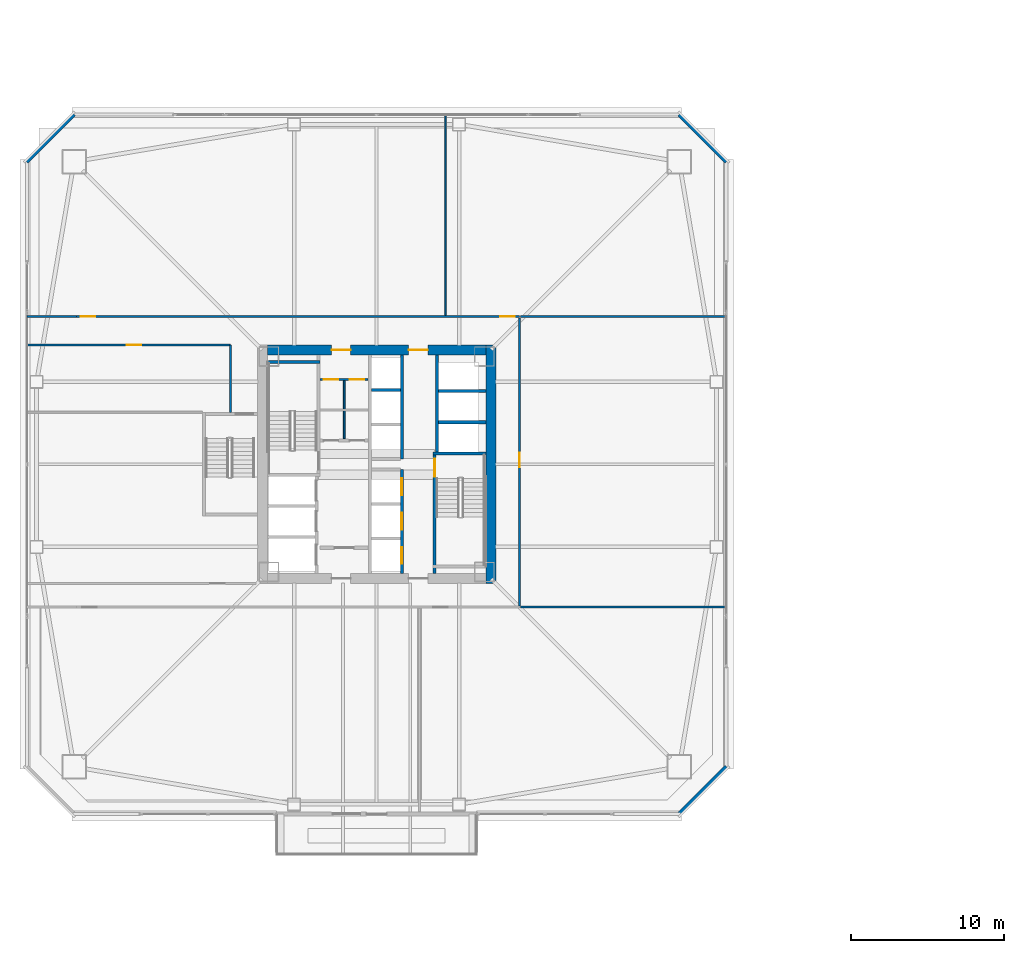
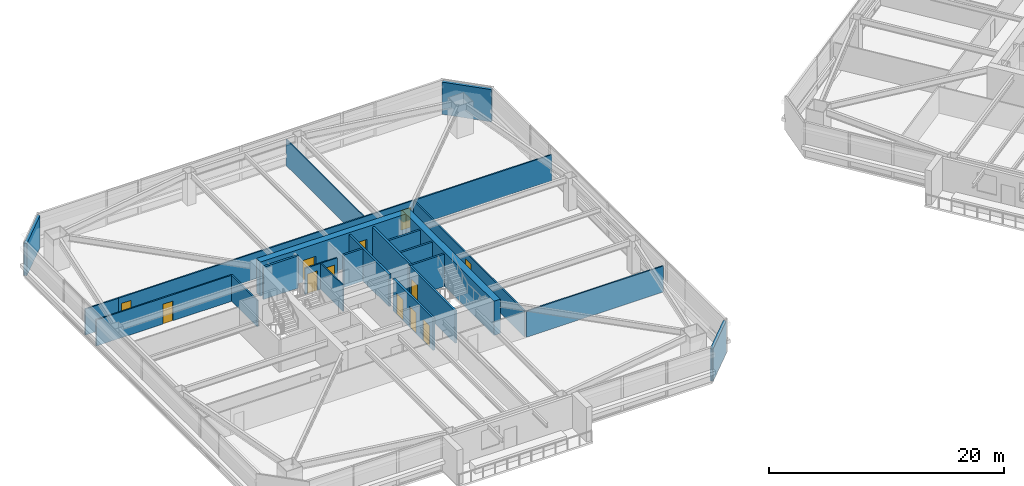
# One storey, part 37 of 46: 24 walls, 12 doors, 12 openings.
"""IFC4 building model written with IfcOpenShell, lengths in metres."""

from ifc_helpers import new_model, si_unit, direction, frame, frame_2d, origin, place, context, subcontext, project, spatial, rectangle, extrude, material, layer, layer_set, type_object, element, fill, save


model = new_model("IFC4")

# Units and contexts
model_context = context("Model", 3, precision=1e-05, world=origin(), true_north=direction((0.0, 1.0)))
body_context = subcontext(model_context, "Body", "Model", "MODEL_VIEW")
ifc_project = project(units=[si_unit("LENGTHUNIT", "METRE"), si_unit("AREAUNIT", "SQUARE_METRE"), si_unit("VOLUMEUNIT", "CUBIC_METRE"), si_unit("PLANEANGLEUNIT", "RADIAN"), si_unit("MASSUNIT", "GRAM", prefix="KILO")], contexts=[model_context])

# Site, building, storey
site_placement = place(None, origin())
site = spatial("IfcSite", under=ifc_project, at=site_placement, CompositionType="ELEMENT")
building_placement = place(site_placement, origin())
building = spatial("IfcBuilding", under=site, at=building_placement, Name="Tashvorn Skyway Center", CompositionType="ELEMENT")
storey_placement = place(building_placement, frame((0.0, 0.0, 60.10009765625)))
storey = spatial("IfcBuildingStorey", under=building, at=storey_placement, Name="L15", CompositionType="ELEMENT", Elevation=60.10009765625)

# Wall
ifc_material_1 = material(Name="Concrete C60/75", Category="concrete")
ifc_layer_1 = layer(ifc_material_1, 0.64990234375)
ifc_layer_set_1 = layer_set([ifc_layer_1], Name="Concrete C60/75")
wall_type_1 = type_object("IfcWallType", Name="WALL-CORE-650", PredefinedType="SHEAR", material=ifc_layer_set_1)
wall_1_placement = place(storey_placement, frame((49.47509765625, 39.800048828125, 0.0), z_axis=(0.0, 0.0, 1.0), x_axis=(0.0, -1.0, 0.0)))
element("IfcWall", 1, at=wall_1_placement, inside=storey, type_object=wall_type_1, Name="Tower 1 L15 East Core Shear Wall", PredefinedType="SHEAR", context=body_context, shape_type="SweptSolid", body=[
    extrude(rectangle(XDim=15.60009765625, YDim=0.64990234375, at=frame_2d((7.800048828125, 0.0))), origin(), (0.0, 0.0, 1.0), 3.5498046875),
])

# Wall, openings, doors
wall_2_placement = place(storey_placement, frame((34.85009765625, 39.47509765625, 0.0), z_axis=(0.0, 0.0, 1.0), x_axis=(1.0, 0.0, 0.0)))
wall_2 = element("IfcWall", 2, at=wall_2_placement, inside=storey, type_object=wall_type_1, Name="Tower 1 L15 North Core Shear Wall", PredefinedType="SHEAR", context=body_context, shape_type="SweptSolid", body=[
    extrude(rectangle(XDim=14.2998046875, YDim=0.64990234375, at=frame_2d((7.14990234375, 0.0))), origin(), (0.0, 0.0, 1.0), 3.5498046875),
])
opening_1_placement = place(wall_2_placement, frame((4.199951171875, 0.0, 0.0)))
opening_1 = element("IfcOpeningElement", 3, at=opening_1_placement, cuts=wall_2, Name="Opening D-FFL-1250", PredefinedType="OPENING", context=body_context, shape_type="SweptSolid", body=[
    extrude(rectangle(XDim=1.25, YDim=2.25, at=frame_2d((0.625, 1.125))), frame((0.0, 0.3349609375, 0.0), z_axis=(0.0, -1.0, 0.0), x_axis=(1.0, 0.0, 0.0)), (0.0, 0.0, 1.0), 0.669921875),
])
opening_2_placement = place(wall_2_placement, frame((9.25, 0.0, 0.0)))
opening_2 = element("IfcOpeningElement", 4, at=opening_2_placement, cuts=wall_2, Name="Opening D-FFL-1250", PredefinedType="OPENING", context=body_context, shape_type="SweptSolid", body=[
    extrude(rectangle(XDim=1.25, YDim=2.25, at=frame_2d((0.625, 1.125))), frame((0.0, 0.3349609375, 0.0), z_axis=(0.0, -1.0, 0.0), x_axis=(1.0, 0.0, 0.0)), (0.0, 0.0, 1.0), 0.669921875),
])
ifc_material_2 = material(Name="Hollow galvanized steel fire door assembly", Category="steel")
door_type_1 = type_object("IfcDoorType", Name="DOOR-FFL-1250", OperationType="NOTDEFINED", PredefinedType="DOOR", material=ifc_material_2)
door_1_placement = place(opening_1_placement, origin())
door_1 = element("IfcDoor", 5, at=door_1_placement, inside=storey, type_object=door_type_1, Name="Tower 1 L15 Core North Service Lobby Door", OperationType="SINGLE_SWING_LEFT", OverallHeight=2.25, OverallWidth=1.25, PredefinedType="DOOR", context=body_context, shape_type="SweptSolid", body=[
    extrude(rectangle(XDim=1.25, YDim=2.25, at=frame_2d((0.625, 1.125))), frame((0.0, 0.02490234375, 0.0), z_axis=(0.0, -1.0, 0.0), x_axis=(1.0, 0.0, 0.0)), (0.0, 0.0, 1.0), 0.050048828125),
])
fill(opening_1, door_1)
door_2_placement = place(opening_2_placement, origin())
door_2 = element("IfcDoor", 6, at=door_2_placement, inside=storey, type_object=door_type_1, Name="Tower 1 L15 Core North Lift Lobby Door", OperationType="SINGLE_SWING_RIGHT", OverallHeight=2.25, OverallWidth=1.25, PredefinedType="DOOR", context=body_context, shape_type="SweptSolid", body=[
    extrude(rectangle(XDim=1.25, YDim=2.25, at=frame_2d((0.625, 1.125))), frame((0.0, 0.02490234375, 0.0), z_axis=(0.0, -1.0, 0.0), x_axis=(1.0, 0.0, 0.0)), (0.0, 0.0, 1.0), 0.050048828125),
])
fill(opening_2, door_2)

# Walls
ifc_material_3 = material(Name="Precast concrete C40/50", Category="concrete")
ifc_layer_2 = layer(ifc_material_3, 0.280029296875)
ifc_layer_set_2 = layer_set([ifc_layer_2], Name="Precast concrete C40/50")
wall_type_2 = type_object("IfcWallType", Name="WALL-EXT-280", PredefinedType="SOLIDWALL", material=ifc_layer_set_2)
for number, where, z_axis, x_axis, name in (
    (7, (19.10009765625, 51.800048828125, 0.0), (0.0, 0.0, 1.0), (0.707106781187, 0.707106781187, 0.0), "Tower 1 L15 NW Precast Chamfer Wall"),
    (8, (61.800048828125, 54.89990234375, 0.0), (0.0, 0.0, 1.0), (0.707106781187, -0.707106781187, 0.0), "Tower 1 L15 NE Precast Chamfer Wall"),
    (9, (64.89990234375, 12.199951171875, 0.0), (0.0, 0.0, 1.0), (-0.707106781187, -0.707106781187, 0.0), "Tower 1 L15 SE Precast Chamfer Wall"),
):
    element("IfcWall", number, at=place(storey_placement, frame(where, z_axis=z_axis, x_axis=x_axis)), inside=storey, type_object=wall_type_2, Name=name, PredefinedType="SOLIDWALL", context=body_context, shape_type="SweptSolid", body=[
        extrude(rectangle(XDim=4.3837890625, YDim=0.280029296875, at=frame_2d((2.19189453125, 0.0))), origin(), (0.0, 0.0, 1.0), 3.349853515625),
    ])
ifc_material_4 = material(Name="Gypsum board on cold-formed steel stud framing", Category="steel")
ifc_layer_3 = layer(ifc_material_4, 0.110107421875)
ifc_layer_set_3 = layer_set([ifc_layer_3], Name="Gypsum board on cold-formed steel stud framing")
wall_type_3 = type_object("IfcWallType", Name="WALL-PART-110", PredefinedType="PARTITIONING", material=ifc_layer_set_3)
wall_3_placement = place(storey_placement, frame((46.5, 41.75, 0.0), z_axis=(0.0, 0.0, 1.0), x_axis=(0.0, 1.0, 0.0)))
element("IfcWall", 10, at=wall_3_placement, inside=storey, type_object=wall_type_3, Name="Tower 1 L15 North Suite Partition 1", PredefinedType="PARTITIONING", context=body_context, shape_type="SweptSolid", body=[
    extrude(rectangle(XDim=13.1298828125, YDim=0.110107421875, at=frame_2d((6.56494140625, 0.0))), origin(), (0.0, 0.0, 1.0), 2.702880859375),
])
ifc_layer_4 = layer(ifc_material_4, 0.135009765625)
ifc_layer_set_4 = layer_set([ifc_layer_4], Name="Gypsum board on cold-formed steel stud framing")
wall_type_4 = type_object("IfcWallType", Name="WALL-PART-135", PredefinedType="PARTITIONING", material=ifc_layer_set_4)
wall_4_placement = place(storey_placement, frame((32.449951171875, 35.39990234375, 0.0), z_axis=(0.0, 0.0, 1.0), x_axis=(0.0, 1.0, 0.0)))
element("IfcWall", 11, at=wall_4_placement, inside=storey, type_object=wall_type_4, Name="Tower 1 L15 Stair 3 Access Corridor Wall", PredefinedType="PARTITIONING", context=body_context, shape_type="SweptSolid", body=[
    extrude(rectangle(XDim=4.400146484375, YDim=0.135009765625, at=frame_2d((2.2001953125, 0.0))), origin(), (0.0, 0.0, 1.0), 2.702880859375),
])

# Wall, openings, doors
wall_5_placement = place(storey_placement, frame((22.35009765625, 41.669921875, 0.0), z_axis=(0.0, 0.0, 1.0), x_axis=(1.0, 0.0, 0.0)))
wall_5 = element("IfcWall", 12, at=wall_5_placement, inside=storey, type_object=wall_type_4, Name="Tower 1 L15 North Suite Wall", PredefinedType="PARTITIONING", context=body_context, shape_type="SweptSolid", body=[
    extrude(rectangle(XDim=29.0, YDim=0.135009765625, at=frame_2d((14.5, 0.0))), origin(), (0.0, 0.0, 1.0), 2.702880859375),
])
opening_3_placement = place(wall_5_placement, frame((0.300048828125, 0.0, 0.0)))
opening_3 = element("IfcOpeningElement", 13, at=opening_3_placement, cuts=wall_5, Name="Opening D-INT-950", PredefinedType="OPENING", context=body_context, shape_type="SweptSolid", body=[
    extrude(rectangle(XDim=0.949951171875, YDim=2.050048828125, at=frame_2d((0.47509765625, 1.02490234375))), frame((0.0, 0.077392578125, 0.0), z_axis=(0.0, -1.0, 0.0), x_axis=(1.0, 0.0, 0.0)), (0.0, 0.0, 1.0), 0.155029296875),
])
opening_4_placement = place(wall_5_placement, frame((27.75, 0.0, 0.0)))
opening_4 = element("IfcOpeningElement", 14, at=opening_4_placement, cuts=wall_5, Name="Opening D-INT-950", PredefinedType="OPENING", context=body_context, shape_type="SweptSolid", body=[
    extrude(rectangle(XDim=0.949951171875, YDim=2.050048828125, at=frame_2d((0.47509765625, 1.02490234375))), frame((0.0, 0.077392578125, 0.0), z_axis=(0.0, -1.0, 0.0), x_axis=(1.0, 0.0, 0.0)), (0.0, 0.0, 1.0), 0.155029296875),
])
ifc_material_5 = material(Name="Solid-core architectural oak veneer door")
door_type_2 = type_object("IfcDoorType", Name="DOOR-INT-950", OperationType="NOTDEFINED", PredefinedType="DOOR", material=ifc_material_5)
door_3_placement = place(opening_3_placement, origin())
door_3 = element("IfcDoor", 15, at=door_3_placement, inside=storey, type_object=door_type_2, Name="Tower 1 L15 Wellness Clinic Door", OperationType="SINGLE_SWING_RIGHT", OverallHeight=2.050048828125, OverallWidth=0.949951171875, PredefinedType="DOOR", context=body_context, shape_type="SweptSolid", body=[
    extrude(rectangle(XDim=0.949951171875, YDim=2.050048828125, at=frame_2d((0.47509765625, 1.02490234375))), frame((0.0, 0.02490234375, 0.0), z_axis=(0.0, -1.0, 0.0), x_axis=(1.0, 0.0, 0.0)), (0.0, 0.0, 1.0), 0.050048828125),
])
fill(opening_3, door_3)
door_4_placement = place(opening_4_placement, origin())
door_4 = element("IfcDoor", 16, at=door_4_placement, inside=storey, type_object=door_type_2, Name="Tower 1 L15 Wellness Clinic Door", OperationType="SINGLE_SWING_LEFT", OverallHeight=2.050048828125, OverallWidth=0.949951171875, PredefinedType="DOOR", context=body_context, shape_type="SweptSolid", body=[
    extrude(rectangle(XDim=0.949951171875, YDim=2.050048828125, at=frame_2d((0.47509765625, 1.02490234375))), frame((0.0, 0.02490234375, 0.0), z_axis=(0.0, -1.0, 0.0), x_axis=(1.0, 0.0, 0.0)), (0.0, 0.0, 1.0), 0.050048828125),
])
fill(opening_4, door_4)

# Wall
wall_6_placement = place(storey_placement, frame((19.1201171875, 41.669921875, 0.0), z_axis=(0.0, 0.0, 1.0), x_axis=(1.0, 0.0, 0.0)))
element("IfcWall", 17, at=wall_6_placement, inside=storey, type_object=wall_type_4, Name="Tower 1 L15 North-West Suite South Wall", PredefinedType="PARTITIONING", context=body_context, shape_type="SweptSolid", body=[
    extrude(rectangle(XDim=3.22998046875, YDim=0.135009765625, at=frame_2d((1.614990234375, 0.0))), origin(), (0.0, 0.0, 1.0), 2.702880859375),
])

# Wall, opening, door
wall_7_placement = place(storey_placement, frame((51.35009765625, 41.590087890625, 0.0), z_axis=(0.0, 0.0, 1.0), x_axis=(0.0, -1.0, 0.0)))
wall_7 = element("IfcWall", 18, at=wall_7_placement, inside=storey, type_object=wall_type_4, Name="Tower 1 L15 East Inner Suite Wall", PredefinedType="PARTITIONING", context=body_context, shape_type="SweptSolid", body=[
    extrude(rectangle(XDim=18.860107421875, YDim=0.135009765625, at=frame_2d((9.43017578125, 0.0))), origin(), (0.0, 0.0, 1.0), 2.702880859375),
])
opening_5_placement = place(wall_7_placement, frame((8.82958984375, 0.0, 0.0)))
opening_5 = element("IfcOpeningElement", 19, at=opening_5_placement, cuts=wall_7, Name="Opening D-INT-950", PredefinedType="OPENING", context=body_context, shape_type="SweptSolid", body=[
    extrude(rectangle(XDim=0.949951171875, YDim=2.050048828125, at=frame_2d((0.47509765625, 1.02490234375))), frame((0.0, 0.077392578125, 0.0), z_axis=(0.0, -1.0, 0.0), x_axis=(1.0, 0.0, 0.0)), (0.0, 0.0, 1.0), 0.155029296875),
])
door_5_placement = place(opening_5_placement, origin())
door_5 = element("IfcDoor", 20, at=door_5_placement, inside=storey, type_object=door_type_2, Name="Tower 1 L15 Operations Control Room Door", OperationType="SINGLE_SWING_RIGHT", OverallHeight=2.050048828125, OverallWidth=0.949951171875, PredefinedType="DOOR", context=body_context, shape_type="SweptSolid", body=[
    extrude(rectangle(XDim=0.949951171875, YDim=2.050048828125, at=frame_2d((0.47509765625, 1.02490234375))), frame((0.0, 0.02490234375, 0.0), z_axis=(0.0, -1.0, 0.0), x_axis=(1.0, 0.0, 0.0)), (0.0, 0.0, 1.0), 0.050048828125),
])
fill(opening_5, door_5)

# Walls
for number, where, z_axis, x_axis, name in (
    (21, (64.8798828125, 41.669921875, 0.0), (0.0, 0.0, 1.0), (-1.0, 0.0, 0.0), "Tower 1 L15 East Suite North Wall"),
    (22, (51.429931640625, 22.64990234375, 0.0), (0.0, 0.0, 1.0), (1.0, 0.0, 0.0), "Tower 1 L15 East Suite South Wall"),
):
    element("IfcWall", number, at=place(storey_placement, frame(where, z_axis=z_axis, x_axis=x_axis)), inside=storey, type_object=wall_type_4, Name=name, PredefinedType="PARTITIONING", context=body_context, shape_type="SweptSolid", body=[
        extrude(rectangle(XDim=13.449951171875, YDim=0.135009765625, at=frame_2d((6.72509765625, 0.0))), origin(), (0.0, 0.0, 1.0), 2.702880859375),
    ])

# Wall, opening, door
wall_8_placement = place(storey_placement, frame((32.449951171875, 39.800048828125, 0.0), z_axis=(0.0, 0.0, 1.0), x_axis=(-1.0, 0.0, 0.0)))
wall_8 = element("IfcWall", 23, at=wall_8_placement, inside=storey, type_object=wall_type_4, Name="Tower 1 L15 West Suite North Wall", PredefinedType="PARTITIONING", context=body_context, shape_type="SweptSolid", body=[
    extrude(rectangle(XDim=13.329833984375, YDim=0.135009765625, at=frame_2d((6.6650390625, 0.0))), origin(), (0.0, 0.0, 1.0), 2.702880859375),
])
opening_6_placement = place(wall_8_placement, frame((5.840087890625, 0.0, 0.0)))
opening_6 = element("IfcOpeningElement", 24, at=opening_6_placement, cuts=wall_8, Name="Opening D-INT-950", PredefinedType="OPENING", context=body_context, shape_type="SweptSolid", body=[
    extrude(rectangle(XDim=0.949951171875, YDim=2.050048828125, at=frame_2d((0.47509765625, 1.02490234375))), frame((0.0, 0.077392578125, 0.0), z_axis=(0.0, -1.0, 0.0), x_axis=(1.0, 0.0, 0.0)), (0.0, 0.0, 1.0), 0.155029296875),
])
door_6_placement = place(opening_6_placement, origin())
door_6 = element("IfcDoor", 25, at=door_6_placement, inside=storey, type_object=door_type_2, Name="Tower 1 L15 Corporate Office Door", OperationType="SINGLE_SWING_LEFT", OverallHeight=2.050048828125, OverallWidth=0.949951171875, PredefinedType="DOOR", context=body_context, shape_type="SweptSolid", body=[
    extrude(rectangle(XDim=0.949951171875, YDim=2.050048828125, at=frame_2d((0.47509765625, 1.02490234375))), frame((0.0, 0.02490234375, 0.0), z_axis=(0.0, -1.0, 0.0), x_axis=(1.0, 0.0, 0.0)), (0.0, 0.0, 1.0), 0.050048828125),
])
fill(opening_6, door_6)

# Wall
ifc_layer_5 = layer(ifc_material_4, 0.110107421875)
ifc_layer_set_5 = layer_set([ifc_layer_5], Name="Gypsum board on cold-formed steel stud framing")
wall_type_5 = type_object("IfcWallType", Name="WALL-RATED-110", PredefinedType="PARTITIONING", material=ifc_layer_set_5)
wall_9_placement = place(storey_placement, frame((39.8798828125, 33.679931640625, 0.0), z_axis=(0.0, 0.0, 1.0), x_axis=(0.0, 1.0, 0.0)))
element("IfcWall", 26, at=wall_9_placement, inside=storey, type_object=wall_type_5, Name="Tower 1 L15 Core Cross Vertical", PredefinedType="PARTITIONING", context=body_context, shape_type="SweptSolid", body=[
    extrude(rectangle(XDim=3.800048828125, YDim=0.110107421875, at=frame_2d((1.89990234375, 0.0))), origin(), (0.0, 0.0, 1.0), 2.702880859375),
])

# Wall, openings, doors
ifc_layer_6 = layer(ifc_material_4, 0.135009765625)
ifc_layer_set_6 = layer_set([ifc_layer_6], Name="Gypsum board on cold-formed steel stud framing")
wall_type_6 = type_object("IfcWallType", Name="WALL-RATED-135", PredefinedType="PARTITIONING", material=ifc_layer_set_6)
wall_10_placement = place(storey_placement, frame((38.300048828125, 37.550048828125, 0.0), z_axis=(0.0, 0.0, 1.0), x_axis=(1.0, 0.0, 0.0)))
wall_10 = element("IfcWall", 27, at=wall_10_placement, inside=storey, type_object=wall_type_6, Name="Tower 1 L15 Core Service Lobby Wall", PredefinedType="PARTITIONING", context=body_context, shape_type="SweptSolid", body=[
    extrude(rectangle(XDim=3.14990234375, YDim=0.135009765625, at=frame_2d((1.574951171875, 0.0))), origin(), (0.0, 0.0, 1.0), 2.702880859375),
])
opening_7_placement = place(wall_10_placement, frame((0.25, 0.0, 0.0)))
opening_7 = element("IfcOpeningElement", 28, at=opening_7_placement, cuts=wall_10, Name="Opening D-RT-950", PredefinedType="OPENING", context=body_context, shape_type="SweptSolid", body=[
    extrude(rectangle(XDim=0.949951171875, YDim=2.050048828125, at=frame_2d((0.47509765625, 1.02490234375))), frame((0.0, 0.077392578125, 0.0), z_axis=(0.0, -1.0, 0.0), x_axis=(1.0, 0.0, 0.0)), (0.0, 0.0, 1.0), 0.155029296875),
])
opening_8_placement = place(wall_10_placement, frame((1.949951171875, 0.0, 0.0)))
opening_8 = element("IfcOpeningElement", 29, at=opening_8_placement, cuts=wall_10, Name="Opening D-RT-950", PredefinedType="OPENING", context=body_context, shape_type="SweptSolid", body=[
    extrude(rectangle(XDim=0.949951171875, YDim=2.050048828125, at=frame_2d((0.47509765625, 1.02490234375))), frame((0.0, 0.077392578125, 0.0), z_axis=(0.0, -1.0, 0.0), x_axis=(1.0, 0.0, 0.0)), (0.0, 0.0, 1.0), 0.155029296875),
])
door_type_3 = type_object("IfcDoorType", Name="DOOR-RATED-950", OperationType="NOTDEFINED", PredefinedType="DOOR", material=ifc_material_2)
door_7_placement = place(opening_7_placement, origin())
door_7 = element("IfcDoor", 30, at=door_7_placement, inside=storey, type_object=door_type_3, Name="Tower 1 L15 Core Cleaner Store Door", OperationType="SINGLE_SWING_LEFT", OverallHeight=2.050048828125, OverallWidth=0.949951171875, PredefinedType="DOOR", context=body_context, shape_type="SweptSolid", body=[
    extrude(rectangle(XDim=0.949951171875, YDim=2.050048828125, at=frame_2d((0.47509765625, 1.02490234375))), frame((0.0, 0.02490234375, 0.0), z_axis=(0.0, -1.0, 0.0), x_axis=(1.0, 0.0, 0.0)), (0.0, 0.0, 1.0), 0.050048828125),
])
fill(opening_7, door_7)
door_8_placement = place(opening_8_placement, origin())
door_8 = element("IfcDoor", 31, at=door_8_placement, inside=storey, type_object=door_type_3, Name="Tower 1 L15 Core Accessible WC Door", OperationType="SINGLE_SWING_RIGHT", OverallHeight=2.050048828125, OverallWidth=0.949951171875, PredefinedType="DOOR", context=body_context, shape_type="SweptSolid", body=[
    extrude(rectangle(XDim=0.949951171875, YDim=2.050048828125, at=frame_2d((0.47509765625, 1.02490234375))), frame((0.0, 0.02490234375, 0.0), z_axis=(0.0, -1.0, 0.0), x_axis=(1.0, 0.0, 0.0)), (0.0, 0.0, 1.0), 0.050048828125),
])
fill(opening_8, door_8)

# Walls
ifc_material_6 = material(Name="Concrete C40/50", Category="concrete")
ifc_layer_7 = layer(ifc_material_6, 0.199951171875)
ifc_layer_set_7 = layer_set([ifc_layer_7], Name="Concrete C40/50")
wall_type_7 = type_object("IfcWallType", Name="WALL-SHAFT-200", PredefinedType="SOLIDWALL", material=ifc_layer_set_7)
for number, where, z_axis, x_axis, name in (
    (32, (46.050048828125, 34.75, 0.0), (0.0, 0.0, 1.0), (1.0, 0.0, 0.0), "Tower 1 L15 High-Rise Shaft Divider"),
    (33, (46.050048828125, 36.800048828125, 0.0), (0.0, 0.0, 1.0), (1.0, 0.0, 0.0), "Tower 1 L15 High-Rise Shaft Divider"),
):
    element("IfcWall", number, at=place(storey_placement, frame(where, z_axis=z_axis, x_axis=x_axis)), inside=storey, type_object=wall_type_7, Name=name, PredefinedType="SOLIDWALL", context=body_context, shape_type="SweptSolid", body=[
        extrude(rectangle(XDim=3.099853515625, YDim=0.199951171875, at=frame_2d((1.5498046875, 0.0))), origin(), (0.0, 0.0, 1.0), 3.349853515625),
    ])

# Wall, openings, doors
wall_11_placement = place(storey_placement, frame((43.64990234375, 24.85009765625, 0.0), z_axis=(0.0, 0.0, 1.0), x_axis=(0.0, 1.0, 0.0)))
wall_11 = element("IfcWall", 34, at=wall_11_placement, inside=storey, type_object=wall_type_7, Name="Tower 1 L15 Low-Rise Core Wall", PredefinedType="SOLIDWALL", context=body_context, shape_type="SweptSolid", body=[
    extrude(rectangle(XDim=6.7998046875, YDim=0.199951171875, at=frame_2d((3.39990234375, 0.0))), origin(), (0.0, 0.0, 1.0), 3.349853515625),
])
opening_9_placement = place(wall_11_placement, frame((0.625, 0.0, 0.0)))
opening_9 = element("IfcOpeningElement", 35, at=opening_9_placement, cuts=wall_11, Name="Opening LD-LR-T1-1-L15", PredefinedType="OPENING", context=body_context, shape_type="SweptSolid", body=[
    extrude(rectangle(XDim=1.10009765625, YDim=2.199951171875, at=frame_2d((0.550048828125, 1.10009765625))), frame((0.0, 0.10986328125, 0.0), z_axis=(0.0, -1.0, 0.0), x_axis=(1.0, 0.0, 0.0)), (0.0, 0.0, 1.0), 0.219970703125),
])
opening_10_placement = place(wall_11_placement, frame((2.875, 0.0, 0.0)))
opening_10 = element("IfcOpeningElement", 36, at=opening_10_placement, cuts=wall_11, Name="Opening LD-LR-T1-2-L15", PredefinedType="OPENING", context=body_context, shape_type="SweptSolid", body=[
    extrude(rectangle(XDim=1.10009765625, YDim=2.199951171875, at=frame_2d((0.550048828125, 1.10009765625))), frame((0.0, 0.10986328125, 0.0), z_axis=(0.0, -1.0, 0.0), x_axis=(1.0, 0.0, 0.0)), (0.0, 0.0, 1.0), 0.219970703125),
])
opening_11_placement = place(wall_11_placement, frame((5.125, 0.0, 0.0)))
opening_11 = element("IfcOpeningElement", 37, at=opening_11_placement, cuts=wall_11, Name="Opening LD-LR-T1-3-L15", PredefinedType="OPENING", context=body_context, shape_type="SweptSolid", body=[
    extrude(rectangle(XDim=1.10009765625, YDim=2.199951171875, at=frame_2d((0.550048828125, 1.10009765625))), frame((0.0, 0.10986328125, 0.0), z_axis=(0.0, -1.0, 0.0), x_axis=(1.0, 0.0, 0.0)), (0.0, 0.0, 1.0), 0.219970703125),
])
ifc_material_7 = material(Name="Stainless steel landing door", Category="steel")
door_type_4 = type_object("IfcDoorType", Name="DOOR-LIFT-1100", OperationType="SLIDING_TO_LEFT", PredefinedType="DOOR", material=ifc_material_7)
door_9_placement = place(opening_9_placement, origin())
door_9 = element("IfcDoor", 38, at=door_9_placement, inside=storey, type_object=door_type_4, Name="Lift LR-T1-1 L15 Landing Door", OperationType="SLIDING_TO_LEFT", OverallHeight=2.199951171875, OverallWidth=1.10009765625, PredefinedType="DOOR", context=body_context, shape_type="SweptSolid", body=[
    extrude(rectangle(XDim=1.10009765625, YDim=2.199951171875, at=frame_2d((0.550048828125, 1.10009765625))), frame((0.0, 0.02490234375, 0.0), z_axis=(0.0, -1.0, 0.0), x_axis=(1.0, 0.0, 0.0)), (0.0, 0.0, 1.0), 0.050048828125),
])
fill(opening_9, door_9)
door_10_placement = place(opening_10_placement, origin())
door_10 = element("IfcDoor", 39, at=door_10_placement, inside=storey, type_object=door_type_4, Name="Lift LR-T1-2 L15 Landing Door", OperationType="SLIDING_TO_LEFT", OverallHeight=2.199951171875, OverallWidth=1.10009765625, PredefinedType="DOOR", context=body_context, shape_type="SweptSolid", body=[
    extrude(rectangle(XDim=1.10009765625, YDim=2.199951171875, at=frame_2d((0.550048828125, 1.10009765625))), frame((0.0, 0.02490234375, 0.0), z_axis=(0.0, -1.0, 0.0), x_axis=(1.0, 0.0, 0.0)), (0.0, 0.0, 1.0), 0.050048828125),
])
fill(opening_10, door_10)
door_11_placement = place(opening_11_placement, origin())
door_11 = element("IfcDoor", 40, at=door_11_placement, inside=storey, type_object=door_type_4, Name="Lift LR-T1-3 L15 Landing Door", OperationType="SLIDING_TO_LEFT", OverallHeight=2.199951171875, OverallWidth=1.10009765625, PredefinedType="DOOR", context=body_context, shape_type="SweptSolid", body=[
    extrude(rectangle(XDim=1.10009765625, YDim=2.199951171875, at=frame_2d((0.550048828125, 1.10009765625))), frame((0.0, 0.02490234375, 0.0), z_axis=(0.0, -1.0, 0.0), x_axis=(1.0, 0.0, 0.0)), (0.0, 0.0, 1.0), 0.050048828125),
])
fill(opening_11, door_11)

# Walls
wall_12_placement = place(storey_placement, frame((43.64990234375, 32.35009765625, 0.0), z_axis=(0.0, 0.0, 1.0), x_axis=(0.0, 1.0, 0.0)))
element("IfcWall", 41, at=wall_12_placement, inside=storey, type_object=wall_type_7, Name="Tower 1 L15 Mid-Rise Core Wall", PredefinedType="SOLIDWALL", context=body_context, shape_type="SweptSolid", body=[
    extrude(rectangle(XDim=6.7998046875, YDim=0.199951171875, at=frame_2d((3.39990234375, 0.0))), origin(), (0.0, 0.0, 1.0), 3.349853515625),
])
wall_13_placement = place(storey_placement, frame((41.669921875, 36.85009765625, 0.0), z_axis=(0.0, 0.0, 1.0), x_axis=(1.0, 0.0, 0.0)))
element("IfcWall", 42, at=wall_13_placement, inside=storey, type_object=wall_type_7, Name="Tower 1 L15 Mid-Rise Shaft Divider", PredefinedType="SOLIDWALL", context=body_context, shape_type="SweptSolid", body=[
    extrude(rectangle(XDim=1.880126953125, YDim=0.199951171875, at=frame_2d((0.93994140625, 0.0))), origin(), (0.0, 0.0, 1.0), 3.349853515625),
])
ifc_layer_8 = layer(ifc_material_6, 0.199951171875)
ifc_layer_set_8 = layer_set([ifc_layer_8], Name="Concrete C40/50")
wall_type_8 = type_object("IfcWallType", Name="WALL-STSHF-200", PredefinedType="SHEAR", material=ifc_layer_set_8)
wall_14_placement = place(storey_placement, frame((34.85009765625, 38.699951171875, 0.0), z_axis=(0.0, 0.0, 1.0), x_axis=(1.0, 0.0, 0.0)))
element("IfcWall", 43, at=wall_14_placement, inside=storey, type_object=wall_type_8, Name="Tower 1 L15 Stair 1 North Wall", PredefinedType="SHEAR", context=body_context, shape_type="SweptSolid", body=[
    extrude(rectangle(XDim=3.449951171875, YDim=0.199951171875, at=frame_2d((1.72509765625, 0.0))), origin(), (0.0, 0.0, 1.0), 3.349853515625),
])

# Wall, opening, door
wall_15_placement = place(storey_placement, frame((45.800048828125, 32.800048828125, 0.0), z_axis=(0.0, 0.0, 1.0), x_axis=(0.0, -1.0, 0.0)))
wall_15 = element("IfcWall", 44, at=wall_15_placement, inside=storey, type_object=wall_type_8, Name="Tower 1 L15 Stair 2 Enclosure Wall", PredefinedType="SHEAR", context=body_context, shape_type="SweptSolid", body=[
    extrude(rectangle(XDim=7.949951171875, YDim=0.199951171875, at=frame_2d((3.97509765625, 0.0))), origin(), (0.0, 0.0, 1.0), 3.349853515625),
])
opening_12_placement = place(wall_15_placement, frame((0.449951171875, 0.0, 0.0)))
opening_12 = element("IfcOpeningElement", 45, at=opening_12_placement, cuts=wall_15, Name="Opening D-ST-1150", PredefinedType="OPENING", context=body_context, shape_type="SweptSolid", body=[
    extrude(rectangle(XDim=1.14990234375, YDim=2.199951171875, at=frame_2d((0.574951171875, 1.10009765625))), frame((0.0, 0.10986328125, 0.0), z_axis=(0.0, -1.0, 0.0), x_axis=(1.0, 0.0, 0.0)), (0.0, 0.0, 1.0), 0.219970703125),
])
door_type_5 = type_object("IfcDoorType", Name="DOOR-STAIR-1150", OperationType="NOTDEFINED", PredefinedType="DOOR", material=ifc_material_2)
door_12_placement = place(opening_12_placement, origin())
door_12 = element("IfcDoor", 46, at=door_12_placement, inside=storey, type_object=door_type_5, Name="Tower 1 L15 Exit Stair 2 Door", OperationType="SINGLE_SWING_RIGHT", OverallHeight=2.199951171875, OverallWidth=1.14990234375, PredefinedType="DOOR", context=body_context, shape_type="SweptSolid", body=[
    extrude(rectangle(XDim=1.14990234375, YDim=2.199951171875, at=frame_2d((0.574951171875, 1.10009765625))), frame((0.0, 0.02490234375, 0.0), z_axis=(0.0, -1.0, 0.0), x_axis=(1.0, 0.0, 0.0)), (0.0, 0.0, 1.0), 0.050048828125),
])
fill(opening_12, door_12)

# Walls
wall_16_placement = place(storey_placement, frame((45.699951171875, 32.699951171875, 0.0), z_axis=(0.0, 0.0, 1.0), x_axis=(1.0, 0.0, 0.0)))
element("IfcWall", 47, at=wall_16_placement, inside=storey, type_object=wall_type_8, Name="Tower 1 L15 Stair 2 North Wall", PredefinedType="SHEAR", context=body_context, shape_type="SweptSolid", body=[
    extrude(rectangle(XDim=3.449951171875, YDim=0.199951171875, at=frame_2d((1.72509765625, 0.0))), origin(), (0.0, 0.0, 1.0), 3.349853515625),
])
wall_17_placement = place(storey_placement, frame((45.949951171875, 39.14990234375, 0.0), z_axis=(0.0, 0.0, 1.0), x_axis=(0.0, -1.0, 0.0)))
element("IfcWall", 48, at=wall_17_placement, inside=storey, type_object=wall_type_8, Name="Tower 1 L15 High-Rise Lift Shaft Front Wall", PredefinedType="SHEAR", context=body_context, shape_type="SweptSolid", body=[
    extrude(rectangle(XDim=6.349853515625, YDim=0.199951171875, at=frame_2d((3.1748046875, 0.0))), origin(), (0.0, 0.0, 1.0), 3.349853515625),
])

save(model, "model.ifc")
